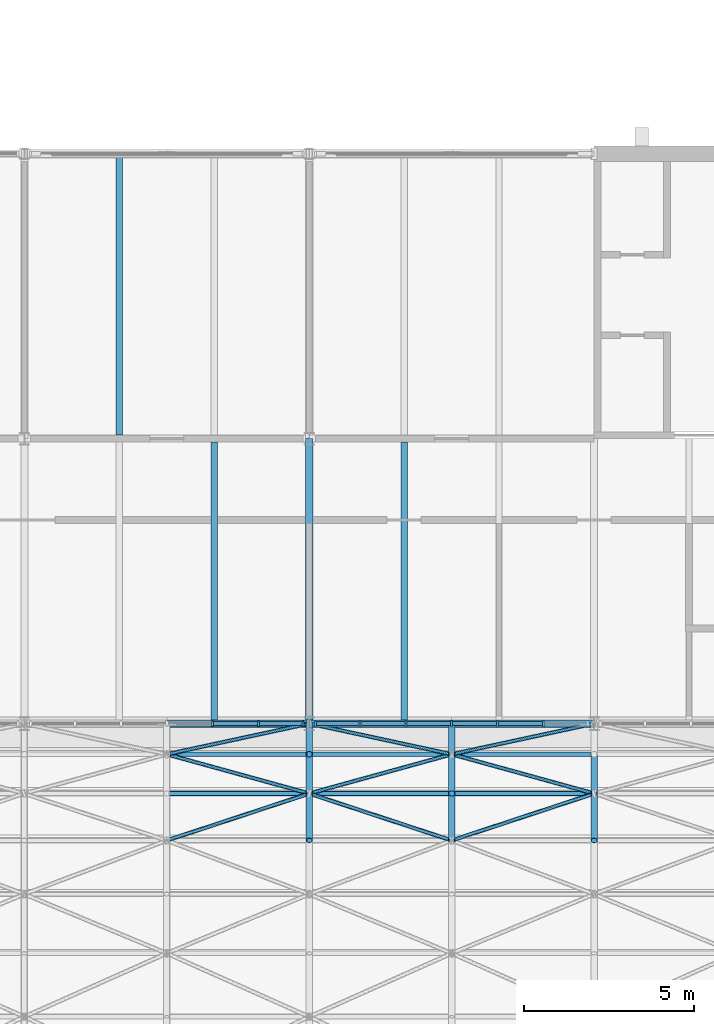
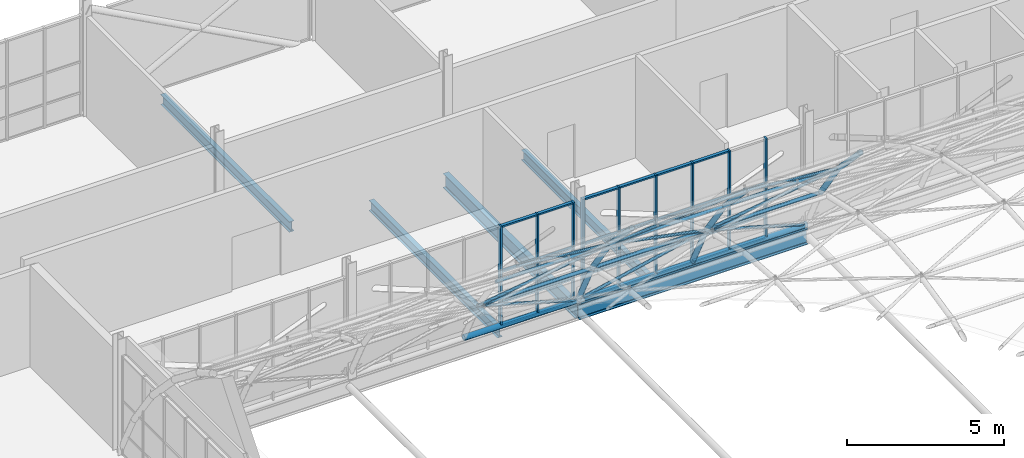
# One storey, part 47 of 121: 62 members, 5 beams, 2 elements without a shape of their own.
"""IFC4 building model written with IfcOpenShell, lengths in metres."""

from ifc_helpers import new_model, si_unit, direction, frame, origin, origin_2d, place, context, subcontext, project, spatial, rectangle, hollow_circle, i_section, extrude, material, layer, layer_set, material_profile, profile_set, type_object, element, aggregate, save


model = new_model("IFC4")

# Units and contexts
model_context = context("Model", 3, precision=1e-05, world=origin(), true_north=direction((0.0, 1.0)))
body_context = subcontext(model_context, "Body", "Model", "MODEL_VIEW")
ifc_project = project(units=[si_unit("LENGTHUNIT", "METRE"), si_unit("AREAUNIT", "SQUARE_METRE"), si_unit("VOLUMEUNIT", "CUBIC_METRE"), si_unit("PLANEANGLEUNIT", "RADIAN"), si_unit("MASSUNIT", "GRAM", prefix="KILO")], contexts=[model_context])

# Site, building, storey
site_placement = place(None, origin())
site = spatial("IfcSite", under=ifc_project, at=site_placement, CompositionType="ELEMENT")
building_placement = place(site_placement, origin())
building = spatial("IfcBuilding", under=site, at=building_placement, Name="Ardhachandra Cancer Care Centre", CompositionType="ELEMENT")
storey_placement = place(building_placement, frame((0.0, 0.0, 9.0)))
storey = spatial("IfcBuildingStorey", under=building, at=storey_placement, Name="L02", CompositionType="ELEMENT", Elevation=9.0)

# Beams
ifc_material_1 = material(Name="Steel E350 (IS 2062)", Category="steel")
ifc_material_profile_1 = material_profile(ifc_material_1, i_section(OverallWidth=0.179931640625, OverallDepth=0.39990234375, WebThickness=0.008544921875, FlangeThickness=0.013427734375, FilletRadius=0.02099609375, at=origin_2d()), Name="NPB 400x180x66.30")
ifc_profile_set_1 = profile_set([ifc_material_profile_1], Name="Steel E350 (IS 2062)")
beam_type_1 = type_object("IfcBeamType", Name="Beam NPB 400x180x66.30", PredefinedType="BEAM", material=ifc_profile_set_1)
beam_1_placement = place(storey_placement, frame((55.60009765625, 88.304931640625, -0.35009765625), z_axis=(0.0, 1.0, 0.0), x_axis=(-1.0, 0.0, 0.0)))
element("IfcBeam", 1, at=beam_1_placement, inside=storey, type_object=beam_type_1, Name="Secondary K6-L6@2800", PredefinedType="BEAM", context=body_context, shape_type="SweptSolid", body=[
    extrude(i_section(OverallWidth=0.179931640625, OverallDepth=0.39990234375, WebThickness=0.008544921875, FlangeThickness=0.013427734375, FilletRadius=0.02099609375, at=origin_2d()), origin(), (0.0, 0.0, 1.0), 8.195068359375),
])
for number, where, z_axis, x_axis, name in (
    (2, (58.39990234375, 79.912109375, -0.35009765625), (0.0, 1.0, 0.0), (-1.0, 0.0, 0.0), "Secondary J6-K6@5600"),
    (3, (64.0, 79.912109375, -0.35009765625), (0.0, 1.0, 0.0), (-1.0, 0.0, 0.0), "Secondary J7-K7@2800"),
):
    element("IfcBeam", number, at=place(storey_placement, frame(where, z_axis=z_axis, x_axis=x_axis)), inside=storey, type_object=beam_type_1, Name=name, PredefinedType="BEAM", context=body_context, shape_type="SweptSolid", body=[
        extrude(i_section(OverallWidth=0.179931640625, OverallDepth=0.39990234375, WebThickness=0.008544921875, FlangeThickness=0.013427734375, FilletRadius=0.02099609375, at=origin_2d()), origin(), (0.0, 0.0, 1.0), 8.182861328125),
    ])
ifc_material_2 = material(Name="Steel E350 (IS 2062)", Category="steel")
ifc_material_profile_2 = material_profile(ifc_material_2, i_section(OverallWidth=0.2099609375, OverallDepth=0.550048828125, WebThickness=0.010986328125, FlangeThickness=0.01708984375, FilletRadius=0.02392578125, at=origin_2d()), Name="NPB 550x210x105.52")
ifc_profile_set_2 = profile_set([ifc_material_profile_2], Name="Steel E350 (IS 2062)")
beam_type_2 = type_object("IfcBeamType", Name="Beam NPB 550x210x105.52", PredefinedType="BEAM", material=ifc_profile_set_2)
beam_2_placement = place(storey_placement, frame((61.199951171875, 79.800048828125, -0.425048828125), z_axis=(0.0, 1.0, 0.0), x_axis=(-1.0, 0.0, 0.0)))
element("IfcBeam", 4, at=beam_2_placement, inside=storey, type_object=beam_type_2, Name="Girder J7-K7", PredefinedType="BEAM", context=body_context, shape_type="SweptSolid", body=[
    extrude(i_section(OverallWidth=0.2099609375, OverallDepth=0.550048828125, WebThickness=0.010986328125, FlangeThickness=0.01708984375, FilletRadius=0.02392578125, at=origin_2d()), origin(), (0.0, 0.0, 1.0), 8.39990234375),
])
ifc_material_3 = material(Name="Steel E350 (IS 2062)", Category="steel")
ifc_material_profile_3 = material_profile(ifc_material_3, i_section(OverallWidth=0.22412109375, OverallDepth=0.610107421875, WebThickness=0.014892578125, FlangeThickness=0.02392578125, FilletRadius=0.02392578125, at=origin_2d()), Name="NPB 600x220x154.46")
ifc_profile_set_3 = profile_set([ifc_material_profile_3], Name="Steel E350 (IS 2062)")
beam_type_3 = type_object("IfcBeamType", Name="Beam NPB 600x220x154.46", PredefinedType="BEAM", material=ifc_profile_set_3)
beam_3_placement = place(storey_placement, frame((61.199951171875, 79.800048828125, -0.41455078125), z_axis=(1.0, 0.0, 0.0), x_axis=(0.0, 1.0, 0.0)))
element("IfcBeam", 5, at=beam_3_placement, inside=storey, type_object=beam_type_3, Name="Shell edge beam J7-J8", PredefinedType="BEAM", context=body_context, shape_type="SweptSolid", body=[
    extrude(i_section(OverallWidth=0.22412109375, OverallDepth=0.610107421875, WebThickness=0.014892578125, FlangeThickness=0.02392578125, FilletRadius=0.02392578125, at=origin_2d()), origin(), (0.0, 0.0, 1.0), 8.400146484375),
])

# Curtain wall, members
ifc_material_4 = material(Name="Aluminium extrusion", Category="aluminium")
ifc_layer = layer(ifc_material_4, 0.14990234375)
ifc_layer_set = layer_set([ifc_layer], Name="Aluminium extrusion")
curtain_wall_type = type_object("IfcCurtainWallType", Name="Curtain wall run", PredefinedType="NOTDEFINED", material=ifc_layer_set)
curtain_wall_1_placement = place(storey_placement, origin())
curtain_wall_1 = element("IfcCurtainWall", 6, at=curtain_wall_1_placement, inside=storey, type_object=curtain_wall_type, Name="Curtain wall L02 s/0052800_0079800", PredefinedType="NOTDEFINED")
ifc_material_5 = material(Name="Aluminium extrusion", Category="aluminium")
ifc_material_profile_4 = material_profile(ifc_material_5, rectangle(XDim=0.159912109375, YDim=0.06005859375, at=origin_2d()), Name="Curtain wall mullion 60 x 160")
ifc_profile_set_4 = profile_set([ifc_material_profile_4], Name="Aluminium extrusion")
member_type_1 = type_object("IfcMemberType", Name="Curtain wall mullion 60 x 160", PredefinedType="MULLION", material=ifc_profile_set_4)
member_1_placement = place(storey_placement, frame((58.35009765625, 79.800048828125, 0.0), z_axis=(0.0, 0.0, 1.0), x_axis=(0.0, 1.0, 0.0)))
member_1 = element("IfcMember", 7, at=member_1_placement, type_object=member_type_1, Name="CW mullion 5", PredefinedType="MULLION", context=body_context, shape_type="SweptSolid", body=[
    extrude(rectangle(XDim=0.159912109375, YDim=0.06005859375, at=origin_2d()), origin(), (0.0, 0.0, 1.0), 3.885986328125),
])
member_2_placement = place(storey_placement, frame((59.699951171875, 79.800048828125, 0.0), z_axis=(0.0, 0.0, 1.0), x_axis=(0.0, 1.0, 0.0)))
member_2 = element("IfcMember", 8, at=member_2_placement, type_object=member_type_1, Name="CW mullion 6", PredefinedType="MULLION", context=body_context, shape_type="SweptSolid", body=[
    extrude(rectangle(XDim=0.159912109375, YDim=0.06005859375, at=origin_2d()), origin(), (0.0, 0.0, 1.0), 3.885986328125),
])
member_3_placement = place(storey_placement, frame((61.02001953125, 79.800048828125, 0.0), z_axis=(0.0, 0.0, 1.0), x_axis=(0.0, 1.0, 0.0)))
member_3 = element("IfcMember", 9, at=member_3_placement, type_object=member_type_1, Name="CW mullion 7", PredefinedType="MULLION", context=body_context, shape_type="SweptSolid", body=[
    extrude(rectangle(XDim=0.159912109375, YDim=0.06005859375, at=origin_2d()), origin(), (0.0, 0.0, 1.0), 3.885986328125),
])

curtain_wall_2_placement = place(storey_placement, origin())
curtain_wall_2 = element("IfcCurtainWall", 10, at=curtain_wall_2_placement, inside=storey, type_object=curtain_wall_type, Name="Curtain wall L02 s/0061200_0079800", PredefinedType="NOTDEFINED")
member_4_placement = place(storey_placement, frame((61.3798828125, 79.800048828125, 0.0), z_axis=(0.0, 0.0, 1.0), x_axis=(0.0, 1.0, 0.0)))
member_4 = element("IfcMember", 11, at=member_4_placement, type_object=member_type_1, Name="CW mullion 1", PredefinedType="MULLION", context=body_context, shape_type="SweptSolid", body=[
    extrude(rectangle(XDim=0.159912109375, YDim=0.06005859375, at=origin_2d()), origin(), (0.0, 0.0, 1.0), 3.885986328125),
])
member_5_placement = place(storey_placement, frame((62.699951171875, 79.800048828125, 0.0), z_axis=(0.0, 0.0, 1.0), x_axis=(0.0, 1.0, 0.0)))
member_5 = element("IfcMember", 12, at=member_5_placement, type_object=member_type_1, Name="CW mullion 2", PredefinedType="MULLION", context=body_context, shape_type="SweptSolid", body=[
    extrude(rectangle(XDim=0.159912109375, YDim=0.06005859375, at=origin_2d()), origin(), (0.0, 0.0, 1.0), 3.885986328125),
])
member_6_placement = place(storey_placement, frame((64.050048828125, 79.800048828125, 0.0), z_axis=(0.0, 0.0, 1.0), x_axis=(0.0, 1.0, 0.0)))
member_6 = element("IfcMember", 13, at=member_6_placement, type_object=member_type_1, Name="CW mullion 3", PredefinedType="MULLION", context=body_context, shape_type="SweptSolid", body=[
    extrude(rectangle(XDim=0.159912109375, YDim=0.06005859375, at=origin_2d()), origin(), (0.0, 0.0, 1.0), 3.885986328125),
])
member_7_placement = place(storey_placement, frame((65.39990234375, 79.800048828125, 0.0), z_axis=(0.0, 0.0, 1.0), x_axis=(0.0, 1.0, 0.0)))
member_7 = element("IfcMember", 14, at=member_7_placement, type_object=member_type_1, Name="CW mullion 4", PredefinedType="MULLION", context=body_context, shape_type="SweptSolid", body=[
    extrude(rectangle(XDim=0.159912109375, YDim=0.06005859375, at=origin_2d()), origin(), (0.0, 0.0, 1.0), 3.885986328125),
])
member_8_placement = place(storey_placement, frame((66.75, 79.800048828125, 0.0), z_axis=(0.0, 0.0, 1.0), x_axis=(0.0, 1.0, 0.0)))
member_8 = element("IfcMember", 15, at=member_8_placement, type_object=member_type_1, Name="CW mullion 5", PredefinedType="MULLION", context=body_context, shape_type="SweptSolid", body=[
    extrude(rectangle(XDim=0.159912109375, YDim=0.06005859375, at=origin_2d()), origin(), (0.0, 0.0, 1.0), 3.885986328125),
])
member_9_placement = place(storey_placement, frame((68.10009765625, 79.800048828125, 0.0), z_axis=(0.0, 0.0, 1.0), x_axis=(0.0, 1.0, 0.0)))
member_9 = element("IfcMember", 16, at=member_9_placement, type_object=member_type_1, Name="CW mullion 6", PredefinedType="MULLION", context=body_context, shape_type="SweptSolid", body=[
    extrude(rectangle(XDim=0.159912109375, YDim=0.06005859375, at=origin_2d()), origin(), (0.0, 0.0, 1.0), 3.885986328125),
])

# Member
ifc_material_6 = material(Name="Aluminium extrusion", Category="aluminium")
ifc_material_profile_5 = material_profile(ifc_material_6, rectangle(XDim=0.1201171875, YDim=0.06005859375, at=origin_2d()), Name="Curtain wall transom 60 x 120")
ifc_profile_set_5 = profile_set([ifc_material_profile_5], Name="Aluminium extrusion")
member_type_2 = type_object("IfcMemberType", Name="Curtain wall transom 60 x 120", PredefinedType="USERDEFINED", material=ifc_profile_set_5)
member_10_placement = place(storey_placement, frame((58.3798828125, 79.800048828125, 0.030029296875), z_axis=(1.0, 0.0, 0.0), x_axis=(0.0, 1.0, 0.0)))
member_10 = element("IfcMember", 17, at=member_10_placement, type_object=member_type_2, Name="CW transom 5.1", ObjectType="TRANSOM", PredefinedType="USERDEFINED", context=body_context, shape_type="SweptSolid", body=[
    extrude(rectangle(XDim=0.1201171875, YDim=0.06005859375, at=origin_2d()), origin(), (0.0, 0.0, 1.0), 1.2900390625),
])

member_11_placement = place(storey_placement, frame((58.3798828125, 79.800048828125, 0.89990234375), z_axis=(1.0, 0.0, 0.0), x_axis=(0.0, 1.0, 0.0)))
member_11 = element("IfcMember", 18, at=member_11_placement, type_object=member_type_2, Name="CW transom 5.2", ObjectType="TRANSOM", PredefinedType="USERDEFINED", context=body_context, shape_type="SweptSolid", body=[
    extrude(rectangle(XDim=0.1201171875, YDim=0.06005859375, at=origin_2d()), origin(), (0.0, 0.0, 1.0), 1.2900390625),
])

member_12_placement = place(storey_placement, frame((58.3798828125, 79.800048828125, 2.10009765625), z_axis=(1.0, 0.0, 0.0), x_axis=(0.0, 1.0, 0.0)))
member_12 = element("IfcMember", 19, at=member_12_placement, type_object=member_type_2, Name="CW transom 5.3", ObjectType="TRANSOM", PredefinedType="USERDEFINED", context=body_context, shape_type="SweptSolid", body=[
    extrude(rectangle(XDim=0.1201171875, YDim=0.06005859375, at=origin_2d()), origin(), (0.0, 0.0, 1.0), 1.2900390625),
])

member_13_placement = place(storey_placement, frame((58.3798828125, 79.800048828125, 3.85595703125), z_axis=(1.0, 0.0, 0.0), x_axis=(0.0, 1.0, 0.0)))
member_13 = element("IfcMember", 20, at=member_13_placement, type_object=member_type_2, Name="CW transom 5.4", ObjectType="TRANSOM", PredefinedType="USERDEFINED", context=body_context, shape_type="SweptSolid", body=[
    extrude(rectangle(XDim=0.1201171875, YDim=0.06005859375, at=origin_2d()), origin(), (0.0, 0.0, 1.0), 1.2900390625),
])

member_14_placement = place(storey_placement, frame((59.72998046875, 79.800048828125, 0.030029296875), z_axis=(1.0, 0.0, 0.0), x_axis=(0.0, 1.0, 0.0)))
member_14 = element("IfcMember", 21, at=member_14_placement, type_object=member_type_2, Name="CW transom 6.1", ObjectType="TRANSOM", PredefinedType="USERDEFINED", context=body_context, shape_type="SweptSolid", body=[
    extrude(rectangle(XDim=0.1201171875, YDim=0.06005859375, at=origin_2d()), origin(), (0.0, 0.0, 1.0), 1.260009765625),
])

member_15_placement = place(storey_placement, frame((59.72998046875, 79.800048828125, 0.89990234375), z_axis=(1.0, 0.0, 0.0), x_axis=(0.0, 1.0, 0.0)))
member_15 = element("IfcMember", 22, at=member_15_placement, type_object=member_type_2, Name="CW transom 6.2", ObjectType="TRANSOM", PredefinedType="USERDEFINED", context=body_context, shape_type="SweptSolid", body=[
    extrude(rectangle(XDim=0.1201171875, YDim=0.06005859375, at=origin_2d()), origin(), (0.0, 0.0, 1.0), 1.260009765625),
])

member_16_placement = place(storey_placement, frame((59.72998046875, 79.800048828125, 2.10009765625), z_axis=(1.0, 0.0, 0.0), x_axis=(0.0, 1.0, 0.0)))
member_16 = element("IfcMember", 23, at=member_16_placement, type_object=member_type_2, Name="CW transom 6.3", ObjectType="TRANSOM", PredefinedType="USERDEFINED", context=body_context, shape_type="SweptSolid", body=[
    extrude(rectangle(XDim=0.1201171875, YDim=0.06005859375, at=origin_2d()), origin(), (0.0, 0.0, 1.0), 1.260009765625),
])

member_17_placement = place(storey_placement, frame((59.72998046875, 79.800048828125, 3.85595703125), z_axis=(1.0, 0.0, 0.0), x_axis=(0.0, 1.0, 0.0)))
member_17 = element("IfcMember", 24, at=member_17_placement, type_object=member_type_2, Name="CW transom 6.4", ObjectType="TRANSOM", PredefinedType="USERDEFINED", context=body_context, shape_type="SweptSolid", body=[
    extrude(rectangle(XDim=0.1201171875, YDim=0.06005859375, at=origin_2d()), origin(), (0.0, 0.0, 1.0), 1.260009765625),
])

aggregate(curtain_wall_1, [member_1, member_2, member_3, member_10, member_11, member_12, member_13, member_14, member_15, member_16, member_17])

member_18_placement = place(storey_placement, frame((61.409912109375, 79.800048828125, 0.030029296875), z_axis=(1.0, 0.0, 0.0), x_axis=(0.0, 1.0, 0.0)))
member_18 = element("IfcMember", 25, at=member_18_placement, type_object=member_type_2, Name="CW transom 1.1", ObjectType="TRANSOM", PredefinedType="USERDEFINED", context=body_context, shape_type="SweptSolid", body=[
    extrude(rectangle(XDim=0.1201171875, YDim=0.06005859375, at=origin_2d()), origin(), (0.0, 0.0, 1.0), 1.260009765625),
])

member_19_placement = place(storey_placement, frame((61.409912109375, 79.800048828125, 0.89990234375), z_axis=(1.0, 0.0, 0.0), x_axis=(0.0, 1.0, 0.0)))
member_19 = element("IfcMember", 26, at=member_19_placement, type_object=member_type_2, Name="CW transom 1.2", ObjectType="TRANSOM", PredefinedType="USERDEFINED", context=body_context, shape_type="SweptSolid", body=[
    extrude(rectangle(XDim=0.1201171875, YDim=0.06005859375, at=origin_2d()), origin(), (0.0, 0.0, 1.0), 1.260009765625),
])

member_20_placement = place(storey_placement, frame((61.409912109375, 79.800048828125, 2.10009765625), z_axis=(1.0, 0.0, 0.0), x_axis=(0.0, 1.0, 0.0)))
member_20 = element("IfcMember", 27, at=member_20_placement, type_object=member_type_2, Name="CW transom 1.3", ObjectType="TRANSOM", PredefinedType="USERDEFINED", context=body_context, shape_type="SweptSolid", body=[
    extrude(rectangle(XDim=0.1201171875, YDim=0.06005859375, at=origin_2d()), origin(), (0.0, 0.0, 1.0), 1.260009765625),
])

member_21_placement = place(storey_placement, frame((61.409912109375, 79.800048828125, 3.85595703125), z_axis=(1.0, 0.0, 0.0), x_axis=(0.0, 1.0, 0.0)))
member_21 = element("IfcMember", 28, at=member_21_placement, type_object=member_type_2, Name="CW transom 1.4", ObjectType="TRANSOM", PredefinedType="USERDEFINED", context=body_context, shape_type="SweptSolid", body=[
    extrude(rectangle(XDim=0.1201171875, YDim=0.06005859375, at=origin_2d()), origin(), (0.0, 0.0, 1.0), 1.260009765625),
])

member_22_placement = place(storey_placement, frame((62.72998046875, 79.800048828125, 0.030029296875), z_axis=(1.0, 0.0, 0.0), x_axis=(0.0, 1.0, 0.0)))
member_22 = element("IfcMember", 29, at=member_22_placement, type_object=member_type_2, Name="CW transom 2.1", ObjectType="TRANSOM", PredefinedType="USERDEFINED", context=body_context, shape_type="SweptSolid", body=[
    extrude(rectangle(XDim=0.1201171875, YDim=0.06005859375, at=origin_2d()), origin(), (0.0, 0.0, 1.0), 1.2900390625),
])

member_23_placement = place(storey_placement, frame((62.72998046875, 79.800048828125, 0.89990234375), z_axis=(1.0, 0.0, 0.0), x_axis=(0.0, 1.0, 0.0)))
member_23 = element("IfcMember", 30, at=member_23_placement, type_object=member_type_2, Name="CW transom 2.2", ObjectType="TRANSOM", PredefinedType="USERDEFINED", context=body_context, shape_type="SweptSolid", body=[
    extrude(rectangle(XDim=0.1201171875, YDim=0.06005859375, at=origin_2d()), origin(), (0.0, 0.0, 1.0), 1.2900390625),
])

member_24_placement = place(storey_placement, frame((62.72998046875, 79.800048828125, 2.10009765625), z_axis=(1.0, 0.0, 0.0), x_axis=(0.0, 1.0, 0.0)))
member_24 = element("IfcMember", 31, at=member_24_placement, type_object=member_type_2, Name="CW transom 2.3", ObjectType="TRANSOM", PredefinedType="USERDEFINED", context=body_context, shape_type="SweptSolid", body=[
    extrude(rectangle(XDim=0.1201171875, YDim=0.06005859375, at=origin_2d()), origin(), (0.0, 0.0, 1.0), 1.2900390625),
])

member_25_placement = place(storey_placement, frame((62.72998046875, 79.800048828125, 3.85595703125), z_axis=(1.0, 0.0, 0.0), x_axis=(0.0, 1.0, 0.0)))
member_25 = element("IfcMember", 32, at=member_25_placement, type_object=member_type_2, Name="CW transom 2.4", ObjectType="TRANSOM", PredefinedType="USERDEFINED", context=body_context, shape_type="SweptSolid", body=[
    extrude(rectangle(XDim=0.1201171875, YDim=0.06005859375, at=origin_2d()), origin(), (0.0, 0.0, 1.0), 1.2900390625),
])

member_26_placement = place(storey_placement, frame((64.080078125, 79.800048828125, 0.030029296875), z_axis=(1.0, 0.0, 0.0), x_axis=(0.0, 1.0, 0.0)))
member_26 = element("IfcMember", 33, at=member_26_placement, type_object=member_type_2, Name="CW transom 3.1", ObjectType="TRANSOM", PredefinedType="USERDEFINED", context=body_context, shape_type="SweptSolid", body=[
    extrude(rectangle(XDim=0.1201171875, YDim=0.06005859375, at=origin_2d()), origin(), (0.0, 0.0, 1.0), 1.2900390625),
])

member_27_placement = place(storey_placement, frame((64.080078125, 79.800048828125, 0.89990234375), z_axis=(1.0, 0.0, 0.0), x_axis=(0.0, 1.0, 0.0)))
member_27 = element("IfcMember", 34, at=member_27_placement, type_object=member_type_2, Name="CW transom 3.2", ObjectType="TRANSOM", PredefinedType="USERDEFINED", context=body_context, shape_type="SweptSolid", body=[
    extrude(rectangle(XDim=0.1201171875, YDim=0.06005859375, at=origin_2d()), origin(), (0.0, 0.0, 1.0), 1.2900390625),
])

member_28_placement = place(storey_placement, frame((64.080078125, 79.800048828125, 2.10009765625), z_axis=(1.0, 0.0, 0.0), x_axis=(0.0, 1.0, 0.0)))
member_28 = element("IfcMember", 35, at=member_28_placement, type_object=member_type_2, Name="CW transom 3.3", ObjectType="TRANSOM", PredefinedType="USERDEFINED", context=body_context, shape_type="SweptSolid", body=[
    extrude(rectangle(XDim=0.1201171875, YDim=0.06005859375, at=origin_2d()), origin(), (0.0, 0.0, 1.0), 1.2900390625),
])

member_29_placement = place(storey_placement, frame((64.080078125, 79.800048828125, 3.85595703125), z_axis=(1.0, 0.0, 0.0), x_axis=(0.0, 1.0, 0.0)))
member_29 = element("IfcMember", 36, at=member_29_placement, type_object=member_type_2, Name="CW transom 3.4", ObjectType="TRANSOM", PredefinedType="USERDEFINED", context=body_context, shape_type="SweptSolid", body=[
    extrude(rectangle(XDim=0.1201171875, YDim=0.06005859375, at=origin_2d()), origin(), (0.0, 0.0, 1.0), 1.2900390625),
])

member_30_placement = place(storey_placement, frame((65.429931640625, 79.800048828125, 0.030029296875), z_axis=(1.0, 0.0, 0.0), x_axis=(0.0, 1.0, 0.0)))
member_30 = element("IfcMember", 37, at=member_30_placement, type_object=member_type_2, Name="CW transom 4.1", ObjectType="TRANSOM", PredefinedType="USERDEFINED", context=body_context, shape_type="SweptSolid", body=[
    extrude(rectangle(XDim=0.1201171875, YDim=0.06005859375, at=origin_2d()), origin(), (0.0, 0.0, 1.0), 1.2900390625),
])

member_31_placement = place(storey_placement, frame((65.429931640625, 79.800048828125, 0.89990234375), z_axis=(1.0, 0.0, 0.0), x_axis=(0.0, 1.0, 0.0)))
member_31 = element("IfcMember", 38, at=member_31_placement, type_object=member_type_2, Name="CW transom 4.2", ObjectType="TRANSOM", PredefinedType="USERDEFINED", context=body_context, shape_type="SweptSolid", body=[
    extrude(rectangle(XDim=0.1201171875, YDim=0.06005859375, at=origin_2d()), origin(), (0.0, 0.0, 1.0), 1.2900390625),
])

member_32_placement = place(storey_placement, frame((65.429931640625, 79.800048828125, 2.10009765625), z_axis=(1.0, 0.0, 0.0), x_axis=(0.0, 1.0, 0.0)))
member_32 = element("IfcMember", 39, at=member_32_placement, type_object=member_type_2, Name="CW transom 4.3", ObjectType="TRANSOM", PredefinedType="USERDEFINED", context=body_context, shape_type="SweptSolid", body=[
    extrude(rectangle(XDim=0.1201171875, YDim=0.06005859375, at=origin_2d()), origin(), (0.0, 0.0, 1.0), 1.2900390625),
])

member_33_placement = place(storey_placement, frame((65.429931640625, 79.800048828125, 3.85595703125), z_axis=(1.0, 0.0, 0.0), x_axis=(0.0, 1.0, 0.0)))
member_33 = element("IfcMember", 40, at=member_33_placement, type_object=member_type_2, Name="CW transom 4.4", ObjectType="TRANSOM", PredefinedType="USERDEFINED", context=body_context, shape_type="SweptSolid", body=[
    extrude(rectangle(XDim=0.1201171875, YDim=0.06005859375, at=origin_2d()), origin(), (0.0, 0.0, 1.0), 1.2900390625),
])

member_34_placement = place(storey_placement, frame((66.780029296875, 79.800048828125, 0.030029296875), z_axis=(1.0, 0.0, 0.0), x_axis=(0.0, 1.0, 0.0)))
member_34 = element("IfcMember", 41, at=member_34_placement, type_object=member_type_2, Name="CW transom 5.1", ObjectType="TRANSOM", PredefinedType="USERDEFINED", context=body_context, shape_type="SweptSolid", body=[
    extrude(rectangle(XDim=0.1201171875, YDim=0.06005859375, at=origin_2d()), origin(), (0.0, 0.0, 1.0), 1.2900390625),
])

member_35_placement = place(storey_placement, frame((66.780029296875, 79.800048828125, 0.89990234375), z_axis=(1.0, 0.0, 0.0), x_axis=(0.0, 1.0, 0.0)))
member_35 = element("IfcMember", 42, at=member_35_placement, type_object=member_type_2, Name="CW transom 5.2", ObjectType="TRANSOM", PredefinedType="USERDEFINED", context=body_context, shape_type="SweptSolid", body=[
    extrude(rectangle(XDim=0.1201171875, YDim=0.06005859375, at=origin_2d()), origin(), (0.0, 0.0, 1.0), 1.2900390625),
])

member_36_placement = place(storey_placement, frame((66.780029296875, 79.800048828125, 2.10009765625), z_axis=(1.0, 0.0, 0.0), x_axis=(0.0, 1.0, 0.0)))
member_36 = element("IfcMember", 43, at=member_36_placement, type_object=member_type_2, Name="CW transom 5.3", ObjectType="TRANSOM", PredefinedType="USERDEFINED", context=body_context, shape_type="SweptSolid", body=[
    extrude(rectangle(XDim=0.1201171875, YDim=0.06005859375, at=origin_2d()), origin(), (0.0, 0.0, 1.0), 1.2900390625),
])

aggregate(curtain_wall_2, [member_4, member_5, member_6, member_7, member_8, member_9, member_18, member_19, member_20, member_21, member_22, member_23, member_24, member_25, member_26, member_27, member_28, member_29, member_30, member_31, member_32, member_33, member_34, member_35, member_36])

# Members
ifc_material_7 = material(Name="Steel E350 (IS 2062)", Category="steel")
ifc_material_profile_6 = material_profile(ifc_material_7, hollow_circle(Radius=0.05712890625, WallThickness=0.0048828125, at=origin_2d()), Name="CHS 114.3x5.0")
ifc_profile_set_6 = profile_set([ifc_material_profile_6], Name="Steel E350 (IS 2062)")
member_type_3 = type_object("IfcMemberType", Name="Hall shell Diagonal CHS 114.3x5.0", PredefinedType="BRACE", material=ifc_profile_set_6)
for number, where, z_axis, x_axis, name in (
    (44, (57.0, 76.353515625, 4.8759765625), (0.902457097304, 0.297496610987, -0.311555699639), (-0.313079224057, 0.949727013128, 0.0), "Hall shell diagonal 03-13"),
    (45, (61.199951171875, 77.738037109375, 3.426025390625), (-0.902461325562, 0.248605721202, -0.351793620253), (-0.265582388334, -0.964088167652, 0.0), "Hall shell diagonal 04-14"),
    (46, (57.0, 78.89501953125, 1.788818359375), (0.902463534711, 0.194467960424, -0.384371930409), (-0.210650483477, 0.977561442474, 0.0), "Hall shell diagonal 03-15"),
    (47, (65.39990234375, 76.353515625, 4.8759765625), (-0.902457097304, 0.297496610987, -0.311555699639), (-0.313079224057, -0.949727013128, 0.0), "Hall shell diagonal 05-13"),
    (48, (61.199951171875, 77.738037109375, 3.426025390625), (0.902461325562, 0.248605721202, -0.351793620253), (-0.265582388334, 0.964088167652, 0.0), "Hall shell diagonal 04-14"),
    (49, (65.39990234375, 78.89501953125, 1.788818359375), (-0.902463534711, 0.194467960424, -0.384371930409), (-0.210650483477, -0.977561442474, 0.0), "Hall shell diagonal 05-15"),
):
    element("IfcMember", number, at=place(storey_placement, frame(where, z_axis=z_axis, x_axis=x_axis)), inside=storey, type_object=member_type_3, Name=name, PredefinedType="BRACE", context=body_context, shape_type="SweptSolid", body=[
        extrude(hollow_circle(Radius=0.05712890625, WallThickness=0.0048828125, at=origin_2d()), origin(), (0.0, 0.0, 1.0), 4.65380859375),
    ])
for number, where, z_axis, x_axis, name in (
    (50, (65.39990234375, 76.353515625, 4.8759765625), (0.902466831544, 0.297482527417, -0.311540950508), (-0.313062809615, 0.94973242402, 0.0), "Hall shell diagonal 05-13"),
    (51, (69.60009765625, 77.738037109375, 3.426025390625), (-0.902471059448, 0.24859395203, -0.351776966093), (-0.26556803985, -0.964092120189, 0.0), "Hall shell diagonal 06-14"),
    (52, (65.39990234375, 78.89501953125, 1.788818359375), (0.902473268411, 0.194458754127, -0.384353733879), (-0.210638782481, 0.977563963797, 0.0), "Hall shell diagonal 05-15"),
):
    element("IfcMember", number, at=place(storey_placement, frame(where, z_axis=z_axis, x_axis=x_axis)), inside=storey, type_object=member_type_3, Name=name, PredefinedType="BRACE", context=body_context, shape_type="SweptSolid", body=[
        extrude(hollow_circle(Radius=0.05712890625, WallThickness=0.0048828125, at=origin_2d()), origin(), (0.0, 0.0, 1.0), 4.654052734375),
    ])
ifc_material_8 = material(Name="Steel E350 (IS 2062)", Category="steel")
ifc_material_profile_7 = material_profile(ifc_material_8, hollow_circle(Radius=0.06982421875, WallThickness=0.0048828125, at=origin_2d()), Name="CHS 139.7x5.0")
ifc_profile_set_7 = profile_set([ifc_material_profile_7], Name="Steel E350 (IS 2062)")
member_type_4 = type_object("IfcMemberType", Name="Hall shell Purlin CHS 139.7x5.0", PredefinedType="PURLIN", material=ifc_profile_set_7)
for number, where, z_axis, x_axis, name in (
    (53, (57.0, 77.738037109375, 3.426025390625), (1.0, 0.0, 0.0), (0.0, 1.0, 0.0), "Hall shell purlin 03-14"),
    (54, (61.199951171875, 77.738037109375, 3.426025390625), (1.0, 0.0, 0.0), (0.0, 1.0, 0.0), "Hall shell purlin 04-14"),
):
    element("IfcMember", number, at=place(storey_placement, frame(where, z_axis=z_axis, x_axis=x_axis)), inside=storey, type_object=member_type_4, Name=name, PredefinedType="PURLIN", context=body_context, shape_type="SweptSolid", body=[
        extrude(hollow_circle(Radius=0.06982421875, WallThickness=0.0048828125, at=origin_2d()), origin(), (0.0, 0.0, 1.0), 4.199951171875),
    ])
member_37_placement = place(storey_placement, frame((65.39990234375, 77.738037109375, 3.426025390625), z_axis=(1.0, 0.0, 0.0), x_axis=(0.0, 1.0, 0.0)))
element("IfcMember", 55, at=member_37_placement, inside=storey, type_object=member_type_4, Name="Hall shell purlin 05-14", PredefinedType="PURLIN", context=body_context, shape_type="SweptSolid", body=[
    extrude(hollow_circle(Radius=0.06982421875, WallThickness=0.0048828125, at=origin_2d()), origin(), (0.0, 0.0, 1.0), 4.2001953125),
])
for number, where, z_axis, x_axis, name in (
    (56, (57.0, 78.89501953125, 1.788818359375), (1.0, 0.0, 0.0), (0.0, 1.0, 0.0), "Hall shell purlin 03-15"),
    (57, (61.199951171875, 78.89501953125, 1.788818359375), (1.0, 0.0, 0.0), (0.0, 1.0, 0.0), "Hall shell purlin 04-15"),
):
    element("IfcMember", number, at=place(storey_placement, frame(where, z_axis=z_axis, x_axis=x_axis)), inside=storey, type_object=member_type_4, Name=name, PredefinedType="PURLIN", context=body_context, shape_type="SweptSolid", body=[
        extrude(hollow_circle(Radius=0.06982421875, WallThickness=0.0048828125, at=origin_2d()), origin(), (0.0, 0.0, 1.0), 4.199951171875),
    ])
member_38_placement = place(storey_placement, frame((65.39990234375, 78.89501953125, 1.788818359375), z_axis=(1.0, 0.0, 0.0), x_axis=(0.0, 1.0, 0.0)))
element("IfcMember", 58, at=member_38_placement, inside=storey, type_object=member_type_4, Name="Hall shell purlin 05-15", PredefinedType="PURLIN", context=body_context, shape_type="SweptSolid", body=[
    extrude(hollow_circle(Radius=0.06982421875, WallThickness=0.0048828125, at=origin_2d()), origin(), (0.0, 0.0, 1.0), 4.2001953125),
])
ifc_material_9 = material(Name="Steel E350 (IS 2062)", Category="steel")
ifc_material_profile_8 = material_profile(ifc_material_9, hollow_circle(Radius=0.109619140625, WallThickness=0.008056640625, at=origin_2d()), Name="CHS 219.1x8.0")
ifc_profile_set_8 = profile_set([ifc_material_profile_8], Name="Steel E350 (IS 2062)")
member_type_5 = type_object("IfcMemberType", Name="Hall shell Purlin CHS 219.1x8.0", PredefinedType="PURLIN", material=ifc_profile_set_8)
for number, where, z_axis, x_axis, name in (
    (59, (57.0, 79.800048828125, 0.0), (1.0, 0.0, 0.0), (0.0, 1.0, 0.0), "Hall shell purlin 03-16"),
    (60, (61.199951171875, 79.800048828125, 0.0), (1.0, 0.0, 0.0), (0.0, 1.0, 0.0), "Hall shell purlin 04-16"),
):
    element("IfcMember", number, at=place(storey_placement, frame(where, z_axis=z_axis, x_axis=x_axis)), inside=storey, type_object=member_type_5, Name=name, PredefinedType="PURLIN", context=body_context, shape_type="SweptSolid", body=[
        extrude(hollow_circle(Radius=0.109619140625, WallThickness=0.008056640625, at=origin_2d()), origin(), (0.0, 0.0, 1.0), 4.199951171875),
    ])
member_39_placement = place(storey_placement, frame((65.39990234375, 79.800048828125, 0.0), z_axis=(1.0, 0.0, 0.0), x_axis=(0.0, 1.0, 0.0)))
element("IfcMember", 61, at=member_39_placement, inside=storey, type_object=member_type_5, Name="Hall shell purlin 05-16", PredefinedType="PURLIN", context=body_context, shape_type="SweptSolid", body=[
    extrude(hollow_circle(Radius=0.109619140625, WallThickness=0.008056640625, at=origin_2d()), origin(), (0.0, 0.0, 1.0), 4.2001953125),
])
ifc_material_10 = material(Name="Steel E350 (IS 2062)", Category="steel")
ifc_material_profile_9 = material_profile(ifc_material_10, hollow_circle(Radius=0.096923828125, WallThickness=0.008056640625, at=origin_2d()), Name="CHS 193.7x8.0")
ifc_profile_set_9 = profile_set([ifc_material_profile_9], Name="Steel E350 (IS 2062)")
member_type_6 = type_object("IfcMemberType", Name="Hall shell Rib CHS 193.7x8.0", PredefinedType="RAFTER", material=ifc_profile_set_9)
member_40_placement = place(storey_placement, frame((61.199951171875, 76.353515625, 4.8759765625), z_axis=(0.0, 0.690600278641, -0.723236652239), x_axis=(-1.0, 0.0, 0.0)))
element("IfcMember", 62, at=member_40_placement, inside=storey, type_object=member_type_6, Name="Hall shell rib 04-13", PredefinedType="RAFTER", context=body_context, shape_type="SweptSolid", body=[
    extrude(hollow_circle(Radius=0.096923828125, WallThickness=0.008056640625, at=origin_2d()), origin(), (0.0, 0.0, 1.0), 2.0048828125),
])
for number, where, z_axis, x_axis, name in (
    (63, (61.199951171875, 77.738037109375, 3.426025390625), (0.0, 0.577118207202, -0.816660624076), (-1.0, 0.0, 0.0), "Hall shell rib 04-14"),
    (64, (61.199951171875, 78.89501953125, 1.788818359375), (0.0, 0.451446595645, -0.892298140355), (-1.0, 0.0, 0.0), "Hall shell rib 04-15"),
):
    element("IfcMember", number, at=place(storey_placement, frame(where, z_axis=z_axis, x_axis=x_axis)), inside=storey, type_object=member_type_6, Name=name, PredefinedType="RAFTER", context=body_context, shape_type="SweptSolid", body=[
        extrude(hollow_circle(Radius=0.096923828125, WallThickness=0.008056640625, at=origin_2d()), origin(), (0.0, 0.0, 1.0), 2.004638671875),
    ])
member_41_placement = place(storey_placement, frame((65.39990234375, 76.353515625, 4.8759765625), z_axis=(0.0, 0.690600278641, -0.723236652239), x_axis=(-1.0, 0.0, 0.0)))
element("IfcMember", 65, at=member_41_placement, inside=storey, type_object=member_type_6, Name="Hall shell rib 05-13", PredefinedType="RAFTER", context=body_context, shape_type="SweptSolid", body=[
    extrude(hollow_circle(Radius=0.096923828125, WallThickness=0.008056640625, at=origin_2d()), origin(), (0.0, 0.0, 1.0), 2.0048828125),
])
for number, where, z_axis, x_axis, name in (
    (66, (65.39990234375, 77.738037109375, 3.426025390625), (0.0, 0.577118207202, -0.816660624076), (-1.0, 0.0, 0.0), "Hall shell rib 05-14"),
    (67, (65.39990234375, 78.89501953125, 1.788818359375), (0.0, 0.451446595645, -0.892298140355), (-1.0, 0.0, 0.0), "Hall shell rib 05-15"),
):
    element("IfcMember", number, at=place(storey_placement, frame(where, z_axis=z_axis, x_axis=x_axis)), inside=storey, type_object=member_type_6, Name=name, PredefinedType="RAFTER", context=body_context, shape_type="SweptSolid", body=[
        extrude(hollow_circle(Radius=0.096923828125, WallThickness=0.008056640625, at=origin_2d()), origin(), (0.0, 0.0, 1.0), 2.004638671875),
    ])
member_42_placement = place(storey_placement, frame((69.60009765625, 76.353515625, 4.8759765625), z_axis=(0.0, 0.690600278641, -0.723236652239), x_axis=(-1.0, 0.0, 0.0)))
element("IfcMember", 68, at=member_42_placement, inside=storey, type_object=member_type_6, Name="Hall shell rib 06-13", PredefinedType="RAFTER", context=body_context, shape_type="SweptSolid", body=[
    extrude(hollow_circle(Radius=0.096923828125, WallThickness=0.008056640625, at=origin_2d()), origin(), (0.0, 0.0, 1.0), 2.0048828125),
])
member_43_placement = place(storey_placement, frame((69.60009765625, 77.738037109375, 3.426025390625), z_axis=(0.0, 0.577118207202, -0.816660624076), x_axis=(-1.0, 0.0, 0.0)))
element("IfcMember", 69, at=member_43_placement, inside=storey, type_object=member_type_6, Name="Hall shell rib 06-14", PredefinedType="RAFTER", context=body_context, shape_type="SweptSolid", body=[
    extrude(hollow_circle(Radius=0.096923828125, WallThickness=0.008056640625, at=origin_2d()), origin(), (0.0, 0.0, 1.0), 2.004638671875),
])

save(model, "model.ifc")
